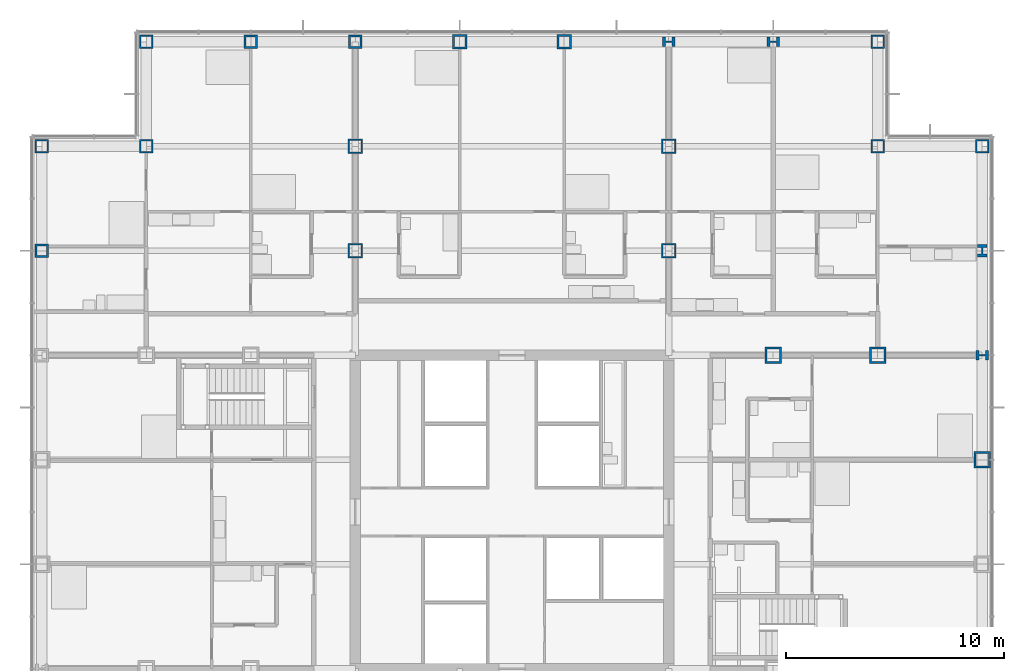
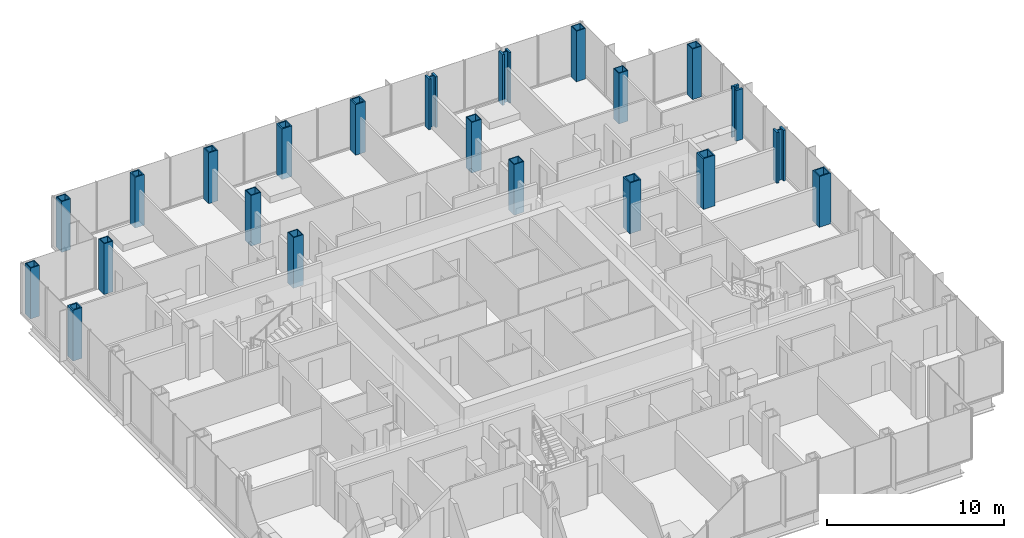
# One storey, part 5 of 21: 22 columns.
"""IFC4 building model written with IfcOpenShell, lengths in metres."""

import ifcopenshell
import ifcopenshell.guid

model = None  # the IFC model being written
_history = None  # IfcOwnerHistory: only IFC2X3 demands one
_inside = {}  # id of a spatial element -> (the spatial element, [elements in it])
_under = {}  # id of a project, library or spatial element -> (it, [spatial elements below it])
_declared = {}  # id of a project -> (the project, [libraries it declares])
_typed = {}  # id of a type object -> (the type object, [elements of that type])
_made_of = {}  # id of a material, layer set ... -> (it, [elements and type objects made of it])


def new_model(schema):
    """Start an empty IFC model of exactly this schema.

    Asked for "IFC4X3", IfcOpenShell would pick the latest addendum, in which some entities
    have other attributes; the version numbers below select the first issue.
    IFC2X3 requires an IfcOwnerHistory on every rooted entity: one is made here for all.
    """
    global model, _history
    if schema == "IFC4X3":
        model = ifcopenshell.file(schema_version=(4, 3, 0, 0))
    else:
        model = ifcopenshell.file(schema=schema)
    _inside.clear()
    _under.clear()
    _declared.clear()
    _typed.clear()
    _made_of.clear()
    _history = None
    if model.schema == "IFC2X3":
        org = make("IfcOrganization", Name="unknown")
        user = make(
            "IfcPersonAndOrganization",
            ThePerson=make("IfcPerson", FamilyName="unknown"),
            TheOrganization=org,
        )
        app = make(
            "IfcApplication",
            ApplicationDeveloper=org,
            Version="unknown",
            ApplicationFullName="unknown",
            ApplicationIdentifier="unknown",
        )
        _history = make(
            "IfcOwnerHistory",
            OwningUser=user,
            OwningApplication=app,
            ChangeAction="ADDED",
            CreationDate=0,
        )
    return model


def make(cls, **values):
    """One entity of the class cls with the attributes given. An attribute that is None is left unset."""
    return model.create_entity(
        cls, **{name: value for name, value in values.items() if value is not None}
    )


def rooted(cls, **values):
    """An entity with a GlobalId (a new one), such as an element, a storey or a relation."""
    return make(cls, GlobalId=ifcopenshell.guid.new(), OwnerHistory=_history, **values)


def si_unit(unit_type, name, prefix=None):
    """IfcSIUnit, for example si_unit("LENGTHUNIT", "METRE", prefix="MILLI")."""
    return make("IfcSIUnit", UnitType=unit_type, Prefix=prefix, Name=name)


def assignment(units):
    """IfcUnitAssignment: the units of a project."""
    return None if units is None else make("IfcUnitAssignment", Units=units)


def point(xyz):
    """IfcCartesianPoint."""
    return None if xyz is None else make("IfcCartesianPoint", Coordinates=xyz)


def direction(xyz):
    """IfcDirection."""
    return None if xyz is None else make("IfcDirection", DirectionRatios=xyz)


def frame(location, z_axis=None, x_axis=None):
    """IfcAxis2Placement3D, a coordinate frame: its origin and axes. An axis left out is left unset."""
    return make(
        "IfcAxis2Placement3D",
        Location=point(location),
        Axis=direction(z_axis),
        RefDirection=direction(x_axis),
    )


def frame_2d(location, x_axis=None):
    """IfcAxis2Placement2D, a coordinate frame in the plane: its origin and x axis."""
    return make(
        "IfcAxis2Placement2D", Location=point(location), RefDirection=direction(x_axis)
    )


def origin():
    """The frame at (0, 0, 0) with its axes left unset."""
    return frame((0.0, 0.0, 0.0))


def origin_2d():
    """The frame at (0, 0) in the plane with its x axis left unset."""
    return frame_2d((0.0, 0.0))


def place(relative_to, where):
    """IfcLocalPlacement: puts the frame where relative to a parent placement (None: the world)."""
    return make(
        "IfcLocalPlacement", PlacementRelTo=relative_to, RelativePlacement=where
    )


def context(
    kind, dimensions, precision=None, world=None, true_north=None, identifier=None
):
    """IfcGeometricRepresentationContext, for example the 3D "Model" context."""
    return make(
        "IfcGeometricRepresentationContext",
        ContextIdentifier=identifier,
        ContextType=kind,
        CoordinateSpaceDimension=dimensions,
        Precision=precision,
        WorldCoordinateSystem=world,
        TrueNorth=true_north,
    )


def subcontext(parent, identifier, kind, view, scale=None):
    """IfcGeometricRepresentationSubContext, for example "Body" below "Model"."""
    return make(
        "IfcGeometricRepresentationSubContext",
        ContextIdentifier=identifier,
        ContextType=kind,
        ParentContext=parent,
        TargetScale=scale,
        TargetView=view,
    )


def project(units=None, contexts=None):
    """IfcProject with its units and contexts."""
    return rooted(
        "IfcProject",
        Name="project",
        RepresentationContexts=contexts,
        UnitsInContext=assignment(units),
    )


def spatial(cls, under=None, at=None, **own):
    """A site, building, storey or space (cls), placed at a placement, below another one or the project."""
    s = rooted(cls, ObjectPlacement=at, **own)
    if under is not None:
        _under.setdefault(under.id(), (under, []))[1].append(s)
    return s


def profile(cls, at=None, kind="AREA", **sizes):
    """A parametric profile (cls). Its sizes go by their IFC names, for example OverallWidth=200.0."""
    return make(cls, ProfileType=kind, Position=at, **sizes)


def hollow_rectangle(**sizes):
    """IfcRectangleHollowProfileDef."""
    return profile("IfcRectangleHollowProfileDef", **sizes)


def i_section(**sizes):
    """IfcIShapeProfileDef."""
    return profile("IfcIShapeProfileDef", **sizes)


def extrude(swept, where, along, depth):
    """IfcExtrudedAreaSolid: the profile swept, set in the frame where, extruded along a direction by depth."""
    return make(
        "IfcExtrudedAreaSolid",
        SweptArea=swept,
        Position=where,
        ExtrudedDirection=direction(along),
        Depth=depth,
    )


def shape(context_of_items, identifier, shape_type, items):
    """IfcShapeRepresentation: the items that make up one representation, for example the "Body"."""
    return make(
        "IfcShapeRepresentation",
        ContextOfItems=context_of_items,
        RepresentationIdentifier=identifier,
        RepresentationType=shape_type,
        Items=items,
    )


def material(Name=None, Category=None):
    """IfcMaterial."""
    return make("IfcMaterial", Name=Name, Category=Category)


def material_profile(
    of_material, cross_section, Name=None, Category=None, Priority=None
):
    """IfcMaterialProfile: a cross section and its material."""
    return make(
        "IfcMaterialProfile",
        Name=Name,
        Material=of_material,
        Profile=cross_section,
        Priority=Priority,
        Category=Category,
    )


def profile_set(profiles, Name=None, composite=None):
    """IfcMaterialProfileSet."""
    return make(
        "IfcMaterialProfileSet",
        Name=Name,
        MaterialProfiles=profiles,
        CompositeProfile=composite,
    )


def made_of(thing, what):
    """Note that an element or type object is made of a material, layer set ...; save() writes the relation."""
    if what is not None:
        _made_of.setdefault(what.id(), (what, []))[1].append(thing)
    return thing


def type_object(cls, material=None, **own):
    """A type object (cls), such as IfcWallType, which elements share."""
    return made_of(rooted(cls, **own), material)


def element(
    cls,
    number,
    at=None,
    inside=None,
    cuts=None,
    type_object=None,
    material=None,
    context=None,
    identifier="Body",
    shape_type=None,
    held_by="IfcProductDefinitionShape",
    body=None,
    shapes=None,
    **own,
):
    """One element of the class cls, such as IfcWall. Its Tag is "e" and its number.

    at: its placement. inside: the storey or other place that contains it. cuts: it is an
    opening in that element (IfcRelVoidsElement). A single representation is given by context,
    identifier, shape_type and body (its items); several are given by shapes. held_by: the class
    of the entity that holds the representations. save() writes the other relations.
    """
    e = rooted(cls, Tag="e%d" % number, ObjectPlacement=at, **own)
    if body is not None:
        shapes = [shape(context, identifier, shape_type, body)]
    if shapes is not None:
        e.Representation = make(held_by, Representations=shapes)
    if inside is not None:
        _inside.setdefault(inside.id(), (inside, []))[1].append(e)
    if cuts is not None:
        rooted(
            "IfcRelVoidsElement", RelatingBuildingElement=cuts, RelatedOpeningElement=e
        )
    if type_object is not None:
        _typed.setdefault(type_object.id(), (type_object, []))[1].append(e)
    return made_of(e, material)


def aggregate(whole, parts):
    """IfcRelAggregates: a whole, such as a stair, and the parts it consists of."""
    return rooted("IfcRelAggregates", RelatingObject=whole, RelatedObjects=parts)


def save(model, path):
    """Write the relations noted so far, then the file.

    IfcRelAggregates (storeys below a building ...), IfcRelContainedInSpatialStructure (elements
    in a storey), IfcRelDefinesByType, IfcRelAssociatesMaterial and IfcRelDeclares: one each for
    every whole, place, type object, material and project.
    """
    for whole, parts in _under.values():
        aggregate(whole, parts)
    for where, things in _inside.values():
        rooted(
            "IfcRelContainedInSpatialStructure",
            RelatedElements=things,
            RelatingStructure=where,
        )
    for kind, things in _typed.values():
        rooted("IfcRelDefinesByType", RelatedObjects=things, RelatingType=kind)
    for what, things in _made_of.values():
        rooted("IfcRelAssociatesMaterial", RelatedObjects=things, RelatingMaterial=what)
    for by, libraries in _declared.values():
        rooted("IfcRelDeclares", RelatingContext=by, RelatedDefinitions=libraries)
    model.write(path)


model = new_model("IFC4")

# Units and contexts
model_context = context("Model", 3, precision=1e-05, world=origin(), true_north=direction((0.0, 1.0)))
body_context = subcontext(model_context, "Body", "Model", "MODEL_VIEW")
ifc_project = project(units=[si_unit("LENGTHUNIT", "METRE"), si_unit("AREAUNIT", "SQUARE_METRE"), si_unit("VOLUMEUNIT", "CUBIC_METRE"), si_unit("PLANEANGLEUNIT", "RADIAN"), si_unit("MASSUNIT", "GRAM", prefix="KILO")], contexts=[model_context])

# Site, building, storey
site_placement = place(None, origin())
site = spatial("IfcSite", under=ifc_project, at=site_placement, CompositionType="ELEMENT")
building_placement = place(site_placement, origin())
building = spatial("IfcBuilding", under=site, at=building_placement, Name="Kvirike Care Tower", CompositionType="ELEMENT")
storey_placement = place(building_placement, frame((0.0, 0.0, 41.0)))
storey = spatial("IfcBuildingStorey", under=building, at=storey_placement, Name="L10", CompositionType="ELEMENT", Elevation=41.0)

# Columns
ifc_material_1 = material(Name="Steel S460", Category="steel")
ifc_material_profile_1 = material_profile(ifc_material_1, hollow_rectangle(XDim=0.60009765625, YDim=0.60009765625, WallThickness=0.050048828125, at=origin_2d()), Name="BX 600x600x50")
ifc_profile_set_1 = profile_set([ifc_material_profile_1], Name="Steel S460")
column_type_1 = type_object("IfcColumnType", Name="COLUMN BX 600x600x50", PredefinedType="COLUMN", material=ifc_profile_set_1)
for number, where, z_axis, x_axis, name in (
    (1, (38.39990234375, 52.800048828125, 0.0), (0.0, 0.0, 1.0), (0.0, 1.0, 0.0), "Column M11 L10"),
    (2, (38.39990234375, 57.60009765625, 0.0), (0.0, 0.0, 1.0), (0.0, 1.0, 0.0), "Column N11 L10"),
    (3, (43.199951171875, 52.800048828125, 0.0), (0.0, 0.0, 1.0), (0.0, 1.0, 0.0), "Column M12 L10"),
):
    element("IfcColumn", number, at=place(storey_placement, frame(where, z_axis=z_axis, x_axis=x_axis)), inside=storey, type_object=column_type_1, Name=name, PredefinedType="COLUMN", context=body_context, shape_type="SweptSolid", body=[
        extrude(hollow_rectangle(XDim=0.60009765625, YDim=0.60009765625, WallThickness=0.050048828125, at=origin_2d()), origin(), (0.0, 0.0, 1.0), 3.5),
    ])
ifc_material_2 = material(Name="Steel S460", Category="steel")
ifc_material_profile_2 = material_profile(ifc_material_2, hollow_rectangle(XDim=0.60009765625, YDim=0.60009765625, WallThickness=0.06005859375, at=origin_2d()), Name="BX 600x600x60")
ifc_profile_set_2 = profile_set([ifc_material_profile_2], Name="Steel S460")
column_type_2 = type_object("IfcColumnType", Name="COLUMN BX 600x600x60", PredefinedType="COLUMN", material=ifc_profile_set_2)
for number, where, z_axis, x_axis, name in (
    (4, (0.0, 52.800048828125, 0.0), (0.0, 0.0, 1.0), (0.0, 1.0, 0.0), "Column M3 L10"),
    (5, (4.800048828125, 52.800048828125, 0.0), (0.0, 0.0, 1.0), (0.0, 1.0, 0.0), "Column M4 L10"),
    (6, (4.800048828125, 57.60009765625, 0.0), (0.0, 0.0, 1.0), (0.0, 1.0, 0.0), "Column N4 L10"),
):
    element("IfcColumn", number, at=place(storey_placement, frame(where, z_axis=z_axis, x_axis=x_axis)), inside=storey, type_object=column_type_2, Name=name, PredefinedType="COLUMN", context=body_context, shape_type="SweptSolid", body=[
        extrude(hollow_rectangle(XDim=0.60009765625, YDim=0.60009765625, WallThickness=0.06005859375, at=origin_2d()), origin(), (0.0, 0.0, 1.0), 3.5),
    ])
ifc_material_3 = material(Name="Steel S460", Category="steel")
ifc_material_profile_3 = material_profile(ifc_material_3, hollow_rectangle(XDim=0.60009765625, YDim=0.60009765625, WallThickness=0.080078125, at=origin_2d()), Name="BX 600x600x80")
ifc_profile_set_3 = profile_set([ifc_material_profile_3], Name="Steel S460")
column_type_3 = type_object("IfcColumnType", Name="COLUMN BX 600x600x80", PredefinedType="COLUMN", material=ifc_profile_set_3)
for number, where, z_axis, x_axis, name in (
    (7, (0.0, 48.0, 0.0), (0.0, 0.0, 1.0), (1.0, 0.0, 0.0), "Column L3 L10"),
    (8, (9.60009765625, 57.60009765625, 0.0), (0.0, 0.0, 1.0), (0.0, 1.0, 0.0), "Column N5 L10"),
    (9, (14.39990234375, 57.60009765625, 0.0), (0.0, 0.0, 1.0), (0.0, 1.0, 0.0), "Column N6 L10"),
):
    element("IfcColumn", number, at=place(storey_placement, frame(where, z_axis=z_axis, x_axis=x_axis)), inside=storey, type_object=column_type_3, Name=name, PredefinedType="COLUMN", context=body_context, shape_type="SweptSolid", body=[
        extrude(hollow_rectangle(XDim=0.60009765625, YDim=0.60009765625, WallThickness=0.080078125, at=origin_2d()), origin(), (0.0, 0.0, 1.0), 3.5),
    ])
ifc_material_4 = material(Name="Steel S460", Category="steel")
ifc_material_profile_4 = material_profile(ifc_material_4, hollow_rectangle(XDim=0.64990234375, YDim=0.64990234375, WallThickness=0.050048828125, at=origin_2d()), Name="BX 650x650x50")
ifc_profile_set_4 = profile_set([ifc_material_profile_4], Name="Steel S460")
column_type_4 = type_object("IfcColumnType", Name="COLUMN BX 650x650x50", PredefinedType="COLUMN", material=ifc_profile_set_4)
for number, where, z_axis, x_axis, name in (
    (10, (14.39990234375, 48.0, 0.0), (0.0, 0.0, 1.0), (1.0, 0.0, 0.0), "Column L6 L10"),
    (11, (14.39990234375, 52.800048828125, 0.0), (0.0, 0.0, 1.0), (1.0, 0.0, 0.0), "Column M6 L10"),
    (12, (28.800048828125, 48.0, 0.0), (0.0, 0.0, 1.0), (1.0, 0.0, 0.0), "Column L9 L10"),
    (13, (28.800048828125, 52.800048828125, 0.0), (0.0, 0.0, 1.0), (1.0, 0.0, 0.0), "Column M9 L10"),
):
    element("IfcColumn", number, at=place(storey_placement, frame(where, z_axis=z_axis, x_axis=x_axis)), inside=storey, type_object=column_type_4, Name=name, PredefinedType="COLUMN", context=body_context, shape_type="SweptSolid", body=[
        extrude(hollow_rectangle(XDim=0.64990234375, YDim=0.64990234375, WallThickness=0.050048828125, at=origin_2d()), origin(), (0.0, 0.0, 1.0), 3.5),
    ])
ifc_material_5 = material(Name="Steel S460", Category="steel")
ifc_material_profile_5 = material_profile(ifc_material_5, hollow_rectangle(XDim=0.64990234375, YDim=0.64990234375, WallThickness=0.080078125, at=origin_2d()), Name="BX 650x650x80")
ifc_profile_set_5 = profile_set([ifc_material_profile_5], Name="Steel S460")
column_type_5 = type_object("IfcColumnType", Name="COLUMN BX 650x650x80", PredefinedType="COLUMN", material=ifc_profile_set_5)
for number, where, z_axis, x_axis, name in (
    (14, (19.199951171875, 57.60009765625, 0.0), (0.0, 0.0, 1.0), (0.0, 1.0, 0.0), "Column N7 L10"),
    (15, (24.0, 57.60009765625, 0.0), (0.0, 0.0, 1.0), (0.0, 1.0, 0.0), "Column N8 L10"),
):
    element("IfcColumn", number, at=place(storey_placement, frame(where, z_axis=z_axis, x_axis=x_axis)), inside=storey, type_object=column_type_5, Name=name, PredefinedType="COLUMN", context=body_context, shape_type="SweptSolid", body=[
        extrude(hollow_rectangle(XDim=0.64990234375, YDim=0.64990234375, WallThickness=0.080078125, at=origin_2d()), origin(), (0.0, 0.0, 1.0), 3.5),
    ])
ifc_material_6 = material(Name="Steel S460", Category="steel")
ifc_material_profile_6 = material_profile(ifc_material_6, hollow_rectangle(XDim=0.75, YDim=0.75, WallThickness=0.080078125, at=origin_2d()), Name="BX 750x750x80")
ifc_profile_set_6 = profile_set([ifc_material_profile_6], Name="Steel S460")
column_type_6 = type_object("IfcColumnType", Name="COLUMN BX 750x750x80", PredefinedType="COLUMN", material=ifc_profile_set_6)
for number, where, z_axis, x_axis, name in (
    (16, (33.60009765625, 43.199951171875, 0.0), (0.0, 0.0, 1.0), (0.0, 1.0, 0.0), "Column K10 L10"),
    (17, (38.39990234375, 43.199951171875, 0.0), (0.0, 0.0, 1.0), (0.0, 1.0, 0.0), "Column K11 L10"),
    (18, (43.199951171875, 38.39990234375, 0.0), (0.0, 0.0, 1.0), (1.0, 0.0, 0.0), "Column J12 L10"),
):
    element("IfcColumn", number, at=place(storey_placement, frame(where, z_axis=z_axis, x_axis=x_axis)), inside=storey, type_object=column_type_6, Name=name, PredefinedType="COLUMN", context=body_context, shape_type="SweptSolid", body=[
        extrude(hollow_rectangle(XDim=0.75, YDim=0.75, WallThickness=0.080078125, at=origin_2d()), origin(), (0.0, 0.0, 1.0), 3.5),
    ])
ifc_material_7 = material(Name="Steel S460", Category="steel")
ifc_material_profile_7 = material_profile(ifc_material_7, i_section(OverallWidth=0.4541015625, OverallDepth=0.569091796875, WebThickness=0.077880859375, FlangeThickness=0.125, FilletRadius=0.014892578125, at=origin_2d()), Name="HD 400x1086")
ifc_profile_set_7 = profile_set([ifc_material_profile_7], Name="Steel S460")
column_type_7 = type_object("IfcColumnType", Name="COLUMN HD 400x1086", PredefinedType="COLUMN", material=ifc_profile_set_7)
for number, where, z_axis, x_axis, name in (
    (19, (28.800048828125, 57.60009765625, 0.0), (0.0, 0.0, 1.0), (0.0, 1.0, 0.0), "Column N9 L10"),
    (20, (33.60009765625, 57.60009765625, 0.0), (0.0, 0.0, 1.0), (0.0, 1.0, 0.0), "Column N10 L10"),
    (21, (43.199951171875, 43.199951171875, 0.0), (0.0, 0.0, 1.0), (0.0, 1.0, 0.0), "Column K12 L10"),
    (22, (43.199951171875, 48.0, 0.0), (0.0, 0.0, 1.0), (1.0, 0.0, 0.0), "Column L12 L10"),
):
    element("IfcColumn", number, at=place(storey_placement, frame(where, z_axis=z_axis, x_axis=x_axis)), inside=storey, type_object=column_type_7, Name=name, PredefinedType="COLUMN", context=body_context, shape_type="SweptSolid", body=[
        extrude(i_section(OverallWidth=0.4541015625, OverallDepth=0.569091796875, WebThickness=0.077880859375, FlangeThickness=0.125, FilletRadius=0.014892578125, at=origin_2d()), origin(), (0.0, 0.0, 1.0), 3.5),
    ])

save(model, "model.ifc")
